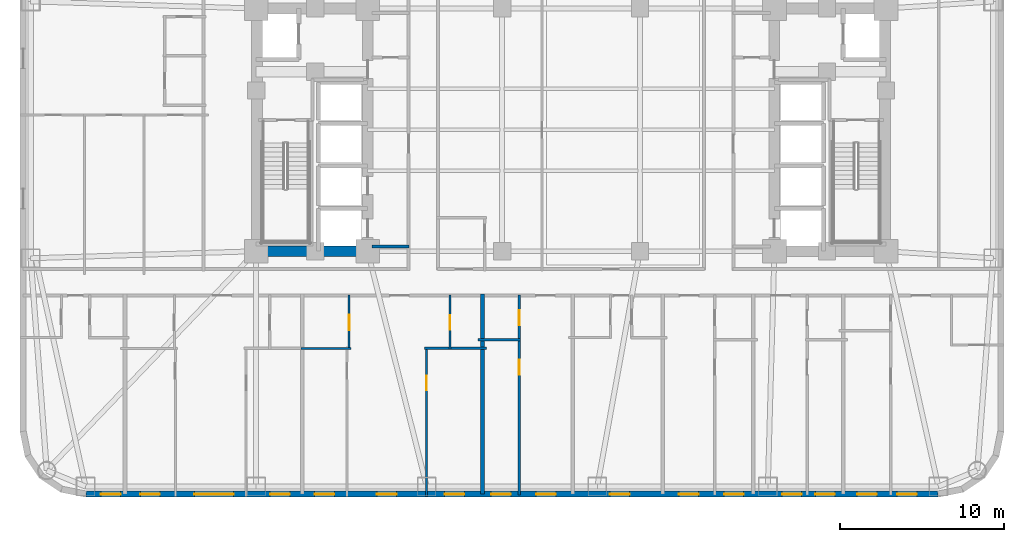
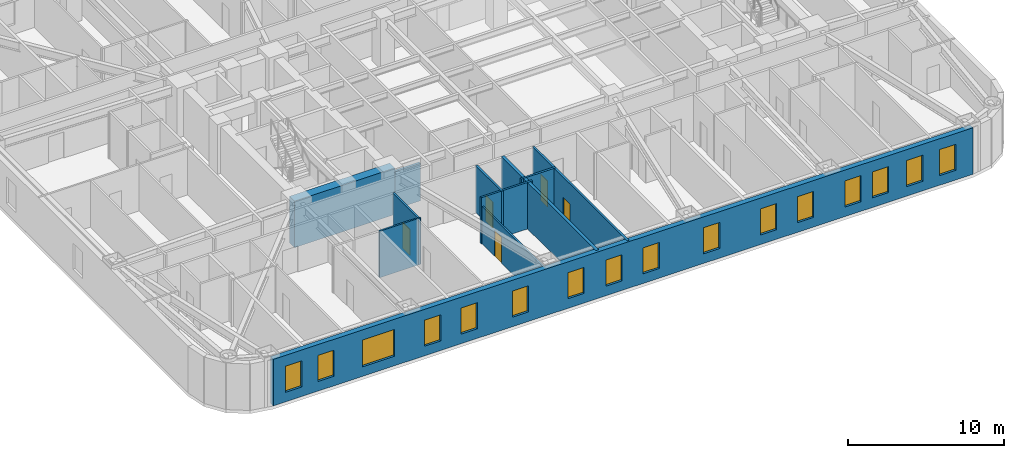
# One storey, part 3 of 12: 16 windows, 12 walls, 5 doors, 21 openings.
"""IFC4 building model written with IfcOpenShell, lengths in metres."""

from ifc_helpers import new_model, si_unit, direction, frame, frame_2d, origin, place, context, subcontext, project, spatial, rectangle, extrude, material, layer, layer_set, type_object, element, fill, save


model = new_model("IFC4")

# Units and contexts
model_context = context("Model", 3, precision=1e-05, world=origin(), true_north=direction((0.0, 1.0)))
body_context = subcontext(model_context, "Body", "Model", "MODEL_VIEW")
ifc_project = project(units=[si_unit("LENGTHUNIT", "METRE"), si_unit("AREAUNIT", "SQUARE_METRE"), si_unit("VOLUMEUNIT", "CUBIC_METRE"), si_unit("PLANEANGLEUNIT", "RADIAN"), si_unit("MASSUNIT", "GRAM", prefix="KILO")], contexts=[model_context])

# Site, building, storey
site_placement = place(None, origin())
site = spatial("IfcSite", under=ifc_project, at=site_placement, CompositionType="ELEMENT")
building_placement = place(site_placement, origin())
building = spatial("IfcBuilding", under=site, at=building_placement, Name="Voryun Gate Residences", CompositionType="ELEMENT")
storey_placement = place(building_placement, frame((0.0, 0.0, 41.60009765625)))
storey = spatial("IfcBuildingStorey", under=building, at=storey_placement, Name="L09", CompositionType="ELEMENT", Elevation=41.60009765625)

# Walls
ifc_material_1 = material(Name="Concrete C60/75", Category="concrete")
ifc_layer_1 = layer(ifc_material_1, 0.64990234375, Name="CW_CORE_650")
ifc_layer_set_1 = layer_set([ifc_layer_1], Name="Concrete C60/75")
wall_type_1 = type_object("IfcWallType", Name="CW_CORE_650", PredefinedType="SHEAR", material=ifc_layer_set_1)
wall_1_placement = place(storey_placement, frame((-19.52490234375, -7.39990234375, 0.0), z_axis=(0.0, 0.0, 1.0), x_axis=(1.0, 0.0, 0.0)))
element("IfcWall", 1, at=wall_1_placement, inside=storey, type_object=wall_type_1, Name="L09 Core shear wall CW-L09-WS", PredefinedType="SHEAR", context=body_context, shape_type="SweptSolid", body=[
    extrude(rectangle(XDim=7.449951171875, YDim=0.64990234375, at=frame_2d((3.72509765625, 0.0))), origin(), (0.0, 0.0, 1.0), 3.64990234375),
])
ifc_material_2 = material(Name="Gypsum acoustic fireboard")
ifc_layer_2 = layer(ifc_material_2, 0.179931640625, Name="W_CORR_RATED_180")
ifc_layer_set_2 = layer_set([ifc_layer_2], Name="Gypsum acoustic fireboard")
wall_type_2 = type_object("IfcWallType", Name="W_CORR_RATED_180", PredefinedType="PARTITIONING", material=ifc_layer_set_2)
wall_2_placement = place(storey_placement, frame((-12.14990234375, -7.1201171875, 0.0), z_axis=(0.0, 0.0, 1.0), x_axis=(1.0, 0.0, 0.0)))
element("IfcWall", 2, at=wall_2_placement, inside=storey, type_object=wall_type_2, Name="Partition wall WP-L09-PLBS-W", PredefinedType="PARTITIONING", context=body_context, shape_type="SweptSolid", body=[
    extrude(rectangle(XDim=2.27001953125, YDim=0.179931640625, at=frame_2d((1.135009765625, 0.0))), origin(), (0.0, 0.0, 1.0), 2.93994140625),
])

# Wall, openings, windows
ifc_material_3 = material(Name="Granite masonry", Category="masonry")
ifc_layer_3 = layer(ifc_material_3, 0.3798828125, Name="W_EXT_GRANITE_380")
ifc_layer_set_3 = layer_set([ifc_layer_3], Name="Granite masonry")
wall_type_3 = type_object("IfcWallType", Name="W_EXT_GRANITE_380", PredefinedType="ELEMENTEDWALL", material=ifc_layer_set_3)
wall_3_placement = place(storey_placement, frame((22.38134765625, -22.2099609375, 0.0), z_axis=(0.0, 0.0, 1.0), x_axis=(-1.0, 0.0, 0.0)))
wall_3 = element("IfcWall", 3, at=wall_3_placement, inside=storey, type_object=wall_type_3, Name="Exterior wall WEXT-L09-01", PredefinedType="ELEMENTEDWALL", context=body_context, shape_type="SweptSolid", body=[
    extrude(rectangle(XDim=51.962646484375, YDim=0.3798828125, at=frame_2d((25.9814453125, 0.0))), origin(), (0.0, 0.0, 1.0), 3.64990234375),
])
opening_1_placement = place(wall_3_placement, frame((42.9521484375, 0.0, 0.75)))
opening_1 = element("IfcOpeningElement", 4, at=opening_1_placement, cuts=wall_3, Name="Opening WN2", PredefinedType="OPENING", context=body_context, shape_type="SweptSolid", body=[
    extrude(rectangle(XDim=2.39990234375, YDim=2.10009765625, at=frame_2d((1.199951171875, 1.050048828125))), frame((0.0, 0.199951171875, 0.0), z_axis=(0.0, -1.0, 0.0), x_axis=(1.0, 0.0, 0.0)), (0.0, 0.0, 1.0), 0.39990234375),
])
opening_2_placement = place(wall_3_placement, frame((49.846923828125, 0.0, 0.75)))
opening_2 = element("IfcOpeningElement", 5, at=opening_2_placement, cuts=wall_3, Name="Opening WN6", PredefinedType="OPENING", context=body_context, shape_type="SweptSolid", body=[
    extrude(rectangle(XDim=1.199951171875, YDim=2.050048828125, at=frame_2d((0.60009765625, 1.02490234375))), frame((0.0, 0.199951171875, 0.0), z_axis=(0.0, -1.0, 0.0), x_axis=(1.0, 0.0, 0.0)), (0.0, 0.0, 1.0), 0.39990234375),
])
opening_3_placement = place(wall_3_placement, frame((47.4453125, 0.0, 0.75)))
opening_3 = element("IfcOpeningElement", 6, at=opening_3_placement, cuts=wall_3, Name="Opening WN6", PredefinedType="OPENING", context=body_context, shape_type="SweptSolid", body=[
    extrude(rectangle(XDim=1.199951171875, YDim=2.050048828125, at=frame_2d((0.60009765625, 1.02490234375))), frame((0.0, 0.199951171875, 0.0), z_axis=(0.0, -1.0, 0.0), x_axis=(1.0, 0.0, 0.0)), (0.0, 0.0, 1.0), 0.39990234375),
])
opening_4_placement = place(wall_3_placement, frame((39.5263671875, 0.0, 0.75)))
opening_4 = element("IfcOpeningElement", 7, at=opening_4_placement, cuts=wall_3, Name="Opening WN6", PredefinedType="OPENING", context=body_context, shape_type="SweptSolid", body=[
    extrude(rectangle(XDim=1.199951171875, YDim=2.050048828125, at=frame_2d((0.60009765625, 1.02490234375))), frame((0.0, 0.199951171875, 0.0), z_axis=(0.0, -1.0, 0.0), x_axis=(1.0, 0.0, 0.0)), (0.0, 0.0, 1.0), 0.39990234375),
])
opening_5_placement = place(wall_3_placement, frame((33.018310546875, 0.0, 0.75)))
opening_5 = element("IfcOpeningElement", 8, at=opening_5_placement, cuts=wall_3, Name="Opening WN6", PredefinedType="OPENING", context=body_context, shape_type="SweptSolid", body=[
    extrude(rectangle(XDim=1.199951171875, YDim=2.050048828125, at=frame_2d((0.60009765625, 1.02490234375))), frame((0.0, 0.199951171875, 0.0), z_axis=(0.0, -1.0, 0.0), x_axis=(1.0, 0.0, 0.0)), (0.0, 0.0, 1.0), 0.39990234375),
])
opening_6_placement = place(wall_3_placement, frame((36.813232421875, 0.0, 0.75)))
opening_6 = element("IfcOpeningElement", 9, at=opening_6_placement, cuts=wall_3, Name="Opening WN6", PredefinedType="OPENING", context=body_context, shape_type="SweptSolid", body=[
    extrude(rectangle(XDim=1.199951171875, YDim=2.050048828125, at=frame_2d((0.60009765625, 1.02490234375))), frame((0.0, 0.199951171875, 0.0), z_axis=(0.0, -1.0, 0.0), x_axis=(1.0, 0.0, 0.0)), (0.0, 0.0, 1.0), 0.39990234375),
])
opening_7_placement = place(wall_3_placement, frame((28.88623046875, 0.0, 0.75)))
opening_7 = element("IfcOpeningElement", 10, at=opening_7_placement, cuts=wall_3, Name="Opening WN6", PredefinedType="OPENING", context=body_context, shape_type="SweptSolid", body=[
    extrude(rectangle(XDim=1.199951171875, YDim=2.050048828125, at=frame_2d((0.60009765625, 1.02490234375))), frame((0.0, 0.199951171875, 0.0), z_axis=(0.0, -1.0, 0.0), x_axis=(1.0, 0.0, 0.0)), (0.0, 0.0, 1.0), 0.39990234375),
])
opening_8_placement = place(wall_3_placement, frame((23.306396484375, 0.0, 0.75)))
opening_8 = element("IfcOpeningElement", 11, at=opening_8_placement, cuts=wall_3, Name="Opening WN6", PredefinedType="OPENING", context=body_context, shape_type="SweptSolid", body=[
    extrude(rectangle(XDim=1.199951171875, YDim=2.050048828125, at=frame_2d((0.60009765625, 1.02490234375))), frame((0.0, 0.199951171875, 0.0), z_axis=(0.0, -1.0, 0.0), x_axis=(1.0, 0.0, 0.0)), (0.0, 0.0, 1.0), 0.39990234375),
])
opening_9_placement = place(wall_3_placement, frame((26.056396484375, 0.0, 0.75)))
opening_9 = element("IfcOpeningElement", 12, at=opening_9_placement, cuts=wall_3, Name="Opening WN6", PredefinedType="OPENING", context=body_context, shape_type="SweptSolid", body=[
    extrude(rectangle(XDim=1.199951171875, YDim=2.050048828125, at=frame_2d((0.60009765625, 1.02490234375))), frame((0.0, 0.199951171875, 0.0), z_axis=(0.0, -1.0, 0.0), x_axis=(1.0, 0.0, 0.0)), (0.0, 0.0, 1.0), 0.39990234375),
])
opening_10_placement = place(wall_3_placement, frame((18.811279296875, 0.0, 0.75)))
opening_10 = element("IfcOpeningElement", 13, at=opening_10_placement, cuts=wall_3, Name="Opening WN6", PredefinedType="OPENING", context=body_context, shape_type="SweptSolid", body=[
    extrude(rectangle(XDim=1.199951171875, YDim=2.050048828125, at=frame_2d((0.60009765625, 1.02490234375))), frame((0.0, 0.199951171875, 0.0), z_axis=(0.0, -1.0, 0.0), x_axis=(1.0, 0.0, 0.0)), (0.0, 0.0, 1.0), 0.39990234375),
])
opening_11_placement = place(wall_3_placement, frame((14.601806640625, 0.0, 0.75)))
opening_11 = element("IfcOpeningElement", 14, at=opening_11_placement, cuts=wall_3, Name="Opening WN6", PredefinedType="OPENING", context=body_context, shape_type="SweptSolid", body=[
    extrude(rectangle(XDim=1.199951171875, YDim=2.050048828125, at=frame_2d((0.60009765625, 1.02490234375))), frame((0.0, 0.199951171875, 0.0), z_axis=(0.0, -1.0, 0.0), x_axis=(1.0, 0.0, 0.0)), (0.0, 0.0, 1.0), 0.39990234375),
])
opening_12_placement = place(wall_3_placement, frame((11.851806640625, 0.0, 0.75)))
opening_12 = element("IfcOpeningElement", 15, at=opening_12_placement, cuts=wall_3, Name="Opening WN6", PredefinedType="OPENING", context=body_context, shape_type="SweptSolid", body=[
    extrude(rectangle(XDim=1.199951171875, YDim=2.050048828125, at=frame_2d((0.60009765625, 1.02490234375))), frame((0.0, 0.199951171875, 0.0), z_axis=(0.0, -1.0, 0.0), x_axis=(1.0, 0.0, 0.0)), (0.0, 0.0, 1.0), 0.39990234375),
])
opening_13_placement = place(wall_3_placement, frame((8.31640625, 0.0, 0.75)))
opening_13 = element("IfcOpeningElement", 16, at=opening_13_placement, cuts=wall_3, Name="Opening WN6", PredefinedType="OPENING", context=body_context, shape_type="SweptSolid", body=[
    extrude(rectangle(XDim=1.199951171875, YDim=2.050048828125, at=frame_2d((0.60009765625, 1.02490234375))), frame((0.0, 0.199951171875, 0.0), z_axis=(0.0, -1.0, 0.0), x_axis=(1.0, 0.0, 0.0)), (0.0, 0.0, 1.0), 0.39990234375),
])
opening_14_placement = place(wall_3_placement, frame((6.286376953125, 0.0, 0.75)))
opening_14 = element("IfcOpeningElement", 17, at=opening_14_placement, cuts=wall_3, Name="Opening WN6", PredefinedType="OPENING", context=body_context, shape_type="SweptSolid", body=[
    extrude(rectangle(XDim=1.199951171875, YDim=2.050048828125, at=frame_2d((0.60009765625, 1.02490234375))), frame((0.0, 0.199951171875, 0.0), z_axis=(0.0, -1.0, 0.0), x_axis=(1.0, 0.0, 0.0)), (0.0, 0.0, 1.0), 0.39990234375),
])
opening_15_placement = place(wall_3_placement, frame((3.73681640625, 0.0, 0.75)))
opening_15 = element("IfcOpeningElement", 18, at=opening_15_placement, cuts=wall_3, Name="Opening WN6", PredefinedType="OPENING", context=body_context, shape_type="SweptSolid", body=[
    extrude(rectangle(XDim=1.199951171875, YDim=2.050048828125, at=frame_2d((0.60009765625, 1.02490234375))), frame((0.0, 0.199951171875, 0.0), z_axis=(0.0, -1.0, 0.0), x_axis=(1.0, 0.0, 0.0)), (0.0, 0.0, 1.0), 0.39990234375),
])
opening_16_placement = place(wall_3_placement, frame((1.291015625, 0.0, 0.75)))
opening_16 = element("IfcOpeningElement", 19, at=opening_16_placement, cuts=wall_3, Name="Opening WN6", PredefinedType="OPENING", context=body_context, shape_type="SweptSolid", body=[
    extrude(rectangle(XDim=1.199951171875, YDim=2.050048828125, at=frame_2d((0.60009765625, 1.02490234375))), frame((0.0, 0.199951171875, 0.0), z_axis=(0.0, -1.0, 0.0), x_axis=(1.0, 0.0, 0.0)), (0.0, 0.0, 1.0), 0.39990234375),
])
ifc_material_4 = material(Name="Laminated low-E glass", Category="glass")
window_type_1 = type_object("IfcWindowType", Name="WN_POD_SLOT_1200", PartitioningType="SINGLE_PANEL", PredefinedType="WINDOW", material=ifc_material_4)
window_1_placement = place(opening_2_placement, origin())
window_1 = element("IfcWindow", 20, at=window_1_placement, inside=storey, type_object=window_type_1, Name="Window WN-L09-DWFIX-15", OverallHeight=2.050048828125, OverallWidth=1.199951171875, PartitioningType="SINGLE_PANEL", PredefinedType="WINDOW", context=body_context, shape_type="SweptSolid", body=[
    extrude(rectangle(XDim=1.199951171875, YDim=2.050048828125, at=frame_2d((0.60009765625, 1.02490234375))), frame((0.0, 0.030029296875, 0.0), z_axis=(0.0, -1.0, 0.0), x_axis=(1.0, 0.0, 0.0)), (0.0, 0.0, 1.0), 0.06005859375),
])
fill(opening_2, window_1)
window_2_placement = place(opening_3_placement, origin())
window_2 = element("IfcWindow", 21, at=window_2_placement, inside=storey, type_object=window_type_1, Name="Window WN-L09-DWFIX-16", OverallHeight=2.050048828125, OverallWidth=1.199951171875, PartitioningType="SINGLE_PANEL", PredefinedType="WINDOW", context=body_context, shape_type="SweptSolid", body=[
    extrude(rectangle(XDim=1.199951171875, YDim=2.050048828125, at=frame_2d((0.60009765625, 1.02490234375))), frame((0.0, 0.030029296875, 0.0), z_axis=(0.0, -1.0, 0.0), x_axis=(1.0, 0.0, 0.0)), (0.0, 0.0, 1.0), 0.06005859375),
])
fill(opening_3, window_2)
window_3_placement = place(opening_4_placement, origin())
window_3 = element("IfcWindow", 22, at=window_3_placement, inside=storey, type_object=window_type_1, Name="Window WN-L09-DWFIX-17", OverallHeight=2.050048828125, OverallWidth=1.199951171875, PartitioningType="SINGLE_PANEL", PredefinedType="WINDOW", context=body_context, shape_type="SweptSolid", body=[
    extrude(rectangle(XDim=1.199951171875, YDim=2.050048828125, at=frame_2d((0.60009765625, 1.02490234375))), frame((0.0, 0.030029296875, 0.0), z_axis=(0.0, -1.0, 0.0), x_axis=(1.0, 0.0, 0.0)), (0.0, 0.0, 1.0), 0.06005859375),
])
fill(opening_4, window_3)
window_4_placement = place(opening_5_placement, origin())
window_4 = element("IfcWindow", 23, at=window_4_placement, inside=storey, type_object=window_type_1, Name="Window WN-L09-DWFIX-18", OverallHeight=2.050048828125, OverallWidth=1.199951171875, PartitioningType="SINGLE_PANEL", PredefinedType="WINDOW", context=body_context, shape_type="SweptSolid", body=[
    extrude(rectangle(XDim=1.199951171875, YDim=2.050048828125, at=frame_2d((0.60009765625, 1.02490234375))), frame((0.0, 0.030029296875, 0.0), z_axis=(0.0, -1.0, 0.0), x_axis=(1.0, 0.0, 0.0)), (0.0, 0.0, 1.0), 0.06005859375),
])
fill(opening_5, window_4)
window_5_placement = place(opening_6_placement, origin())
window_5 = element("IfcWindow", 24, at=window_5_placement, inside=storey, type_object=window_type_1, Name="Window WN-L09-DWFIX-19", OverallHeight=2.050048828125, OverallWidth=1.199951171875, PartitioningType="SINGLE_PANEL", PredefinedType="WINDOW", context=body_context, shape_type="SweptSolid", body=[
    extrude(rectangle(XDim=1.199951171875, YDim=2.050048828125, at=frame_2d((0.60009765625, 1.02490234375))), frame((0.0, 0.030029296875, 0.0), z_axis=(0.0, -1.0, 0.0), x_axis=(1.0, 0.0, 0.0)), (0.0, 0.0, 1.0), 0.06005859375),
])
fill(opening_6, window_5)
window_6_placement = place(opening_7_placement, origin())
window_6 = element("IfcWindow", 25, at=window_6_placement, inside=storey, type_object=window_type_1, Name="Window WN-L09-DWFIX-20", OverallHeight=2.050048828125, OverallWidth=1.199951171875, PartitioningType="SINGLE_PANEL", PredefinedType="WINDOW", context=body_context, shape_type="SweptSolid", body=[
    extrude(rectangle(XDim=1.199951171875, YDim=2.050048828125, at=frame_2d((0.60009765625, 1.02490234375))), frame((0.0, 0.030029296875, 0.0), z_axis=(0.0, -1.0, 0.0), x_axis=(1.0, 0.0, 0.0)), (0.0, 0.0, 1.0), 0.06005859375),
])
fill(opening_7, window_6)
window_7_placement = place(opening_8_placement, origin())
window_7 = element("IfcWindow", 26, at=window_7_placement, inside=storey, type_object=window_type_1, Name="Window WN-L09-DWFIX-21", OverallHeight=2.050048828125, OverallWidth=1.199951171875, PartitioningType="SINGLE_PANEL", PredefinedType="WINDOW", context=body_context, shape_type="SweptSolid", body=[
    extrude(rectangle(XDim=1.199951171875, YDim=2.050048828125, at=frame_2d((0.60009765625, 1.02490234375))), frame((0.0, 0.030029296875, 0.0), z_axis=(0.0, -1.0, 0.0), x_axis=(1.0, 0.0, 0.0)), (0.0, 0.0, 1.0), 0.06005859375),
])
fill(opening_8, window_7)
window_8_placement = place(opening_9_placement, origin())
window_8 = element("IfcWindow", 27, at=window_8_placement, inside=storey, type_object=window_type_1, Name="Window WN-L09-DWFIX-22", OverallHeight=2.050048828125, OverallWidth=1.199951171875, PartitioningType="SINGLE_PANEL", PredefinedType="WINDOW", context=body_context, shape_type="SweptSolid", body=[
    extrude(rectangle(XDim=1.199951171875, YDim=2.050048828125, at=frame_2d((0.60009765625, 1.02490234375))), frame((0.0, 0.030029296875, 0.0), z_axis=(0.0, -1.0, 0.0), x_axis=(1.0, 0.0, 0.0)), (0.0, 0.0, 1.0), 0.06005859375),
])
fill(opening_9, window_8)
window_9_placement = place(opening_10_placement, origin())
window_9 = element("IfcWindow", 28, at=window_9_placement, inside=storey, type_object=window_type_1, Name="Window WN-L09-DWFIX-23", OverallHeight=2.050048828125, OverallWidth=1.199951171875, PartitioningType="SINGLE_PANEL", PredefinedType="WINDOW", context=body_context, shape_type="SweptSolid", body=[
    extrude(rectangle(XDim=1.199951171875, YDim=2.050048828125, at=frame_2d((0.60009765625, 1.02490234375))), frame((0.0, 0.030029296875, 0.0), z_axis=(0.0, -1.0, 0.0), x_axis=(1.0, 0.0, 0.0)), (0.0, 0.0, 1.0), 0.06005859375),
])
fill(opening_10, window_9)
window_10_placement = place(opening_11_placement, origin())
window_10 = element("IfcWindow", 29, at=window_10_placement, inside=storey, type_object=window_type_1, Name="Window WN-L09-DWFIX-24", OverallHeight=2.050048828125, OverallWidth=1.199951171875, PartitioningType="SINGLE_PANEL", PredefinedType="WINDOW", context=body_context, shape_type="SweptSolid", body=[
    extrude(rectangle(XDim=1.199951171875, YDim=2.050048828125, at=frame_2d((0.60009765625, 1.02490234375))), frame((0.0, 0.030029296875, 0.0), z_axis=(0.0, -1.0, 0.0), x_axis=(1.0, 0.0, 0.0)), (0.0, 0.0, 1.0), 0.06005859375),
])
fill(opening_11, window_10)
window_11_placement = place(opening_12_placement, origin())
window_11 = element("IfcWindow", 30, at=window_11_placement, inside=storey, type_object=window_type_1, Name="Window WN-L09-DWFIX-25", OverallHeight=2.050048828125, OverallWidth=1.199951171875, PartitioningType="SINGLE_PANEL", PredefinedType="WINDOW", context=body_context, shape_type="SweptSolid", body=[
    extrude(rectangle(XDim=1.199951171875, YDim=2.050048828125, at=frame_2d((0.60009765625, 1.02490234375))), frame((0.0, 0.030029296875, 0.0), z_axis=(0.0, -1.0, 0.0), x_axis=(1.0, 0.0, 0.0)), (0.0, 0.0, 1.0), 0.06005859375),
])
fill(opening_12, window_11)
window_12_placement = place(opening_13_placement, origin())
window_12 = element("IfcWindow", 31, at=window_12_placement, inside=storey, type_object=window_type_1, Name="Window WN-L09-DWFIX-26", OverallHeight=2.050048828125, OverallWidth=1.199951171875, PartitioningType="SINGLE_PANEL", PredefinedType="WINDOW", context=body_context, shape_type="SweptSolid", body=[
    extrude(rectangle(XDim=1.199951171875, YDim=2.050048828125, at=frame_2d((0.60009765625, 1.02490234375))), frame((0.0, 0.030029296875, 0.0), z_axis=(0.0, -1.0, 0.0), x_axis=(1.0, 0.0, 0.0)), (0.0, 0.0, 1.0), 0.06005859375),
])
fill(opening_13, window_12)
window_13_placement = place(opening_14_placement, origin())
window_13 = element("IfcWindow", 32, at=window_13_placement, inside=storey, type_object=window_type_1, Name="Window WN-L09-DWFIX-27", OverallHeight=2.050048828125, OverallWidth=1.199951171875, PartitioningType="SINGLE_PANEL", PredefinedType="WINDOW", context=body_context, shape_type="SweptSolid", body=[
    extrude(rectangle(XDim=1.199951171875, YDim=2.050048828125, at=frame_2d((0.60009765625, 1.02490234375))), frame((0.0, 0.030029296875, 0.0), z_axis=(0.0, -1.0, 0.0), x_axis=(1.0, 0.0, 0.0)), (0.0, 0.0, 1.0), 0.06005859375),
])
fill(opening_14, window_13)
window_14_placement = place(opening_15_placement, origin())
window_14 = element("IfcWindow", 33, at=window_14_placement, inside=storey, type_object=window_type_1, Name="Window WN-L09-DWFIX-28", OverallHeight=2.050048828125, OverallWidth=1.199951171875, PartitioningType="SINGLE_PANEL", PredefinedType="WINDOW", context=body_context, shape_type="SweptSolid", body=[
    extrude(rectangle(XDim=1.199951171875, YDim=2.050048828125, at=frame_2d((0.60009765625, 1.02490234375))), frame((0.0, 0.030029296875, 0.0), z_axis=(0.0, -1.0, 0.0), x_axis=(1.0, 0.0, 0.0)), (0.0, 0.0, 1.0), 0.06005859375),
])
fill(opening_15, window_14)
window_15_placement = place(opening_16_placement, origin())
window_15 = element("IfcWindow", 34, at=window_15_placement, inside=storey, type_object=window_type_1, Name="Window WN-L09-DWFIX-29", OverallHeight=2.050048828125, OverallWidth=1.199951171875, PartitioningType="SINGLE_PANEL", PredefinedType="WINDOW", context=body_context, shape_type="SweptSolid", body=[
    extrude(rectangle(XDim=1.199951171875, YDim=2.050048828125, at=frame_2d((0.60009765625, 1.02490234375))), frame((0.0, 0.030029296875, 0.0), z_axis=(0.0, -1.0, 0.0), x_axis=(1.0, 0.0, 0.0)), (0.0, 0.0, 1.0), 0.06005859375),
])
fill(opening_16, window_15)
ifc_material_5 = material(Name="Laminated low-E glass", Category="glass")
window_type_2 = type_object("IfcWindowType", Name="WN_RES_WIDE_2400", PartitioningType="SINGLE_PANEL", PredefinedType="WINDOW", material=ifc_material_5)
window_16_placement = place(opening_1_placement, origin())
window_16 = element("IfcWindow", 35, at=window_16_placement, inside=storey, type_object=window_type_2, Name="Window WN-WEXT-L09-01-03", OverallHeight=2.10009765625, OverallWidth=2.39990234375, PartitioningType="SINGLE_PANEL", PredefinedType="WINDOW", context=body_context, shape_type="SweptSolid", body=[
    extrude(rectangle(XDim=2.39990234375, YDim=2.10009765625, at=frame_2d((1.199951171875, 1.050048828125))), frame((0.0, 0.030029296875, 0.0), z_axis=(0.0, -1.0, 0.0), x_axis=(1.0, 0.0, 0.0)), (0.0, 0.0, 1.0), 0.06005859375),
])
fill(opening_1, window_16)

# Wall
ifc_material_6 = material(Name="Concrete C40/50", Category="concrete")
ifc_layer_4 = layer(ifc_material_6, 0.219970703125, Name="W_PARTY_ACOUSTIC_220")
ifc_layer_set_4 = layer_set([ifc_layer_4], Name="Concrete C40/50")
wall_type_4 = type_object("IfcWallType", Name="W_PARTY_ACOUSTIC_220", PredefinedType="PARTITIONING", material=ifc_layer_set_4)
wall_4_placement = place(storey_placement, frame((-5.39990234375, -22.2099609375, 0.0), z_axis=(0.0, 0.0, 1.0), x_axis=(0.0, 1.0, 0.0)))
element("IfcWall", 36, at=wall_4_placement, inside=storey, type_object=wall_type_4, Name="Partition wall WP-L09-SPTY-3", PredefinedType="PARTITIONING", context=body_context, shape_type="SweptSolid", body=[
    extrude(rectangle(XDim=12.18994140625, YDim=0.219970703125, at=frame_2d((6.094970703125, 0.0))), origin(), (0.0, 0.0, 1.0), 3.64990234375),
])

# Wall, opening, door
ifc_material_7 = material(Name="Gypsum acoustic partition")
ifc_layer_5 = layer(ifc_material_7, 0.125, Name="W_UNIT_PART_125")
ifc_layer_set_5 = layer_set([ifc_layer_5], Name="Gypsum acoustic partition")
wall_type_5 = type_object("IfcWallType", Name="W_UNIT_PART_125", PredefinedType="PARTITIONING", material=ifc_layer_set_5)
wall_5_placement = place(storey_placement, frame((-8.81005859375, -22.360107421875, 0.0), z_axis=(0.0, 0.0, 1.0), x_axis=(0.0, 1.0, 0.0)))
wall_5 = element("IfcWall", 37, at=wall_5_placement, inside=storey, type_object=wall_type_5, Name="Partition wall WP-L09-S3-OVR", PredefinedType="PARTITIONING", context=body_context, shape_type="SweptSolid", body=[
    extrude(rectangle(XDim=9.1201171875, YDim=0.125, at=frame_2d((4.56005859375, 0.0))), origin(), (0.0, 0.0, 1.0), 2.93994140625),
])
opening_17_placement = place(wall_5_placement, frame((6.481201171875, 0.0, 0.0)))
opening_17 = element("IfcOpeningElement", 38, at=opening_17_placement, cuts=wall_5, Name="Opening D-INT-2", PredefinedType="OPENING", context=body_context, shape_type="SweptSolid", body=[
    extrude(rectangle(XDim=0.89990234375, YDim=2.050048828125, at=frame_2d((0.449951171875, 1.02490234375))), frame((0.0, 0.072509765625, 0.0), z_axis=(0.0, -1.0, 0.0), x_axis=(1.0, 0.0, 0.0)), (0.0, 0.0, 1.0), 0.14501953125),
])
ifc_material_8 = material(Name="Architectural oak veneer")
door_type_1 = type_object("IfcDoorType", Name="DR_INT_BATH_900", OperationType="NOTDEFINED", PredefinedType="DOOR", material=ifc_material_8)
door_1_placement = place(opening_17_placement, origin())
door_1 = element("IfcDoor", 39, at=door_1_placement, inside=storey, type_object=door_type_1, Name="Door DR-L09-S3-DMB", OperationType="SINGLE_SWING_RIGHT", OverallHeight=2.050048828125, OverallWidth=0.89990234375, PredefinedType="DOOR", context=body_context, shape_type="SweptSolid", body=[
    extrude(rectangle(XDim=0.89990234375, YDim=2.050048828125, at=frame_2d((0.449951171875, 1.02490234375))), frame((0.0, 0.02490234375, 0.0), z_axis=(0.0, -1.0, 0.0), x_axis=(1.0, 0.0, 0.0)), (0.0, 0.0, 1.0), 0.050048828125),
])
fill(opening_17, door_1)

wall_6_placement = place(storey_placement, frame((-13.532958984375, -13.39990234375, 0.0), z_axis=(0.0, 0.0, 1.0), x_axis=(0.0, 1.0, 0.0)))
wall_6 = element("IfcWall", 40, at=wall_6_placement, inside=storey, type_object=wall_type_5, Name="Partition wall WP-L09-S3-IVK", PredefinedType="PARTITIONING", context=body_context, shape_type="SweptSolid", body=[
    extrude(rectangle(XDim=3.31982421875, YDim=0.125, at=frame_2d((1.659912109375, 0.0))), origin(), (0.0, 0.0, 1.0), 3.64990234375),
])
opening_18_placement = place(wall_6_placement, frame((1.18505859375, 0.0, 0.0)))
opening_18 = element("IfcOpeningElement", 41, at=opening_18_placement, cuts=wall_6, Name="Opening D-INT-1", PredefinedType="OPENING", context=body_context, shape_type="SweptSolid", body=[
    extrude(rectangle(XDim=0.949951171875, YDim=2.050048828125, at=frame_2d((0.47509765625, 1.02490234375))), frame((0.0, 0.072509765625, 0.0), z_axis=(0.0, -1.0, 0.0), x_axis=(1.0, 0.0, 0.0)), (0.0, 0.0, 1.0), 0.14501953125),
])
ifc_material_9 = material(Name="Architectural oak veneer")
door_type_2 = type_object("IfcDoorType", Name="DR_INT_ROOM_950", OperationType="NOTDEFINED", PredefinedType="DOOR", material=ifc_material_9)
door_2_placement = place(opening_18_placement, origin())
door_2 = element("IfcDoor", 42, at=door_2_placement, inside=storey, type_object=door_type_2, Name="Door DR-L09-S3-DK", OperationType="SINGLE_SWING_LEFT", OverallHeight=2.050048828125, OverallWidth=0.949951171875, PredefinedType="DOOR", context=body_context, shape_type="SweptSolid", body=[
    extrude(rectangle(XDim=0.949951171875, YDim=2.050048828125, at=frame_2d((0.47509765625, 1.02490234375))), frame((0.0, 0.02490234375, 0.0), z_axis=(0.0, -1.0, 0.0), x_axis=(1.0, 0.0, 0.0)), (0.0, 0.0, 1.0), 0.050048828125),
])
fill(opening_18, door_2)

# Walls
wall_7_placement = place(storey_placement, frame((-16.47509765625, -13.320068359375, 0.0), z_axis=(0.0, 0.0, 1.0), x_axis=(1.0, 0.0, 0.0)))
element("IfcWall", 43, at=wall_7_placement, inside=storey, type_object=wall_type_5, Name="Partition wall WP-L09-S3-HZK", PredefinedType="PARTITIONING", context=body_context, shape_type="SweptSolid", body=[
    extrude(rectangle(XDim=3.06201171875, YDim=0.125, at=frame_2d((1.531005859375, 0.0))), origin(), (0.0, 0.0, 1.0), 3.64990234375),
])
ifc_material_10 = material(Name="Gypsum moisture-resistant partition")
ifc_layer_6 = layer(ifc_material_10, 0.14990234375, Name="W_WET_PLUMB_150")
ifc_layer_set_6 = layer_set([ifc_layer_6], Name="Gypsum moisture-resistant partition")
wall_type_6 = type_object("IfcWallType", Name="W_WET_PLUMB_150", PredefinedType="PLUMBINGWALL", material=ifc_layer_set_6)
wall_8_placement = place(storey_placement, frame((-8.929931640625, -13.320068359375, 0.0), z_axis=(0.0, 0.0, 1.0), x_axis=(1.0, 0.0, 0.0)))
element("IfcWall", 44, at=wall_8_placement, inside=storey, type_object=wall_type_6, Name="Partition wall WP-L09-S3-HZB", PredefinedType="PLUMBINGWALL", context=body_context, shape_type="SweptSolid", body=[
    extrude(rectangle(XDim=3.7900390625, YDim=0.14990234375, at=frame_2d((1.89501953125, 0.0))), origin(), (0.0, 0.0, 1.0), 3.64990234375),
])

# Wall, opening, door
wall_9_placement = place(storey_placement, frame((-7.3798828125, -13.39990234375, 0.0), z_axis=(0.0, 0.0, 1.0), x_axis=(0.0, 1.0, 0.0)))
wall_9 = element("IfcWall", 45, at=wall_9_placement, inside=storey, type_object=wall_type_6, Name="Partition wall WP-L09-S3-IVB", PredefinedType="PLUMBINGWALL", context=body_context, shape_type="SweptSolid", body=[
    extrude(rectangle(XDim=3.31982421875, YDim=0.14990234375, at=frame_2d((1.659912109375, 0.0))), origin(), (0.0, 0.0, 1.0), 3.64990234375),
])
opening_19_placement = place(wall_9_placement, frame((1.2099609375, 0.0, 0.0)))
opening_19 = element("IfcOpeningElement", 46, at=opening_19_placement, cuts=wall_9, Name="Opening D-INT-2", PredefinedType="OPENING", context=body_context, shape_type="SweptSolid", body=[
    extrude(rectangle(XDim=0.89990234375, YDim=2.050048828125, at=frame_2d((0.449951171875, 1.02490234375))), frame((0.0, 0.0849609375, 0.0), z_axis=(0.0, -1.0, 0.0), x_axis=(1.0, 0.0, 0.0)), (0.0, 0.0, 1.0), 0.169921875),
])
door_3_placement = place(opening_19_placement, origin())
door_3 = element("IfcDoor", 47, at=door_3_placement, inside=storey, type_object=door_type_1, Name="Door DR-L09-S3-DB", OperationType="SINGLE_SWING_RIGHT", OverallHeight=2.050048828125, OverallWidth=0.89990234375, PredefinedType="DOOR", context=body_context, shape_type="SweptSolid", body=[
    extrude(rectangle(XDim=0.89990234375, YDim=2.050048828125, at=frame_2d((0.449951171875, 1.02490234375))), frame((0.0, 0.02490234375, 0.0), z_axis=(0.0, -1.0, 0.0), x_axis=(1.0, 0.0, 0.0)), (0.0, 0.0, 1.0), 0.050048828125),
])
fill(opening_19, door_3)

# Wall
wall_10_placement = place(storey_placement, frame((-5.659912109375, -12.800048828125, 0.0), z_axis=(0.0, 0.0, 1.0), x_axis=(1.0, 0.0, 0.0)))
element("IfcWall", 48, at=wall_10_placement, inside=storey, type_object=wall_type_6, Name="Partition wall WP-L09-S4-SKB", PredefinedType="PLUMBINGWALL", context=body_context, shape_type="SweptSolid", body=[
    extrude(rectangle(XDim=2.58984375, YDim=0.14990234375, at=frame_2d((1.294921875, 0.0))), origin(), (0.0, 0.0, 1.0), 3.64990234375),
])

# Wall, opening, door
wall_11_placement = place(storey_placement, frame((-3.14990234375, -22.257568359375, 0.0), z_axis=(0.0, 0.0, 1.0), x_axis=(0.0, 1.0, 0.0)))
wall_11 = element("IfcWall", 49, at=wall_11_placement, inside=storey, type_object=wall_type_6, Name="Partition wall WP-L09-S4-SVT1", PredefinedType="PLUMBINGWALL", context=body_context, shape_type="SweptSolid", body=[
    extrude(rectangle(XDim=9.49755859375, YDim=0.14990234375, at=frame_2d((4.748779296875, 0.0))), origin(), (0.0, 0.0, 1.0), 3.64990234375),
])
opening_20_placement = place(wall_11_placement, frame((7.337890625, 0.0, 0.0)))
opening_20 = element("IfcOpeningElement", 50, at=opening_20_placement, cuts=wall_11, Name="Opening D-INT-2", PredefinedType="OPENING", context=body_context, shape_type="SweptSolid", body=[
    extrude(rectangle(XDim=0.89990234375, YDim=2.050048828125, at=frame_2d((0.449951171875, 1.02490234375))), frame((0.0, 0.0849609375, 0.0), z_axis=(0.0, -1.0, 0.0), x_axis=(1.0, 0.0, 0.0)), (0.0, 0.0, 1.0), 0.169921875),
])
door_4_placement = place(opening_20_placement, origin())
door_4 = element("IfcDoor", 51, at=door_4_placement, inside=storey, type_object=door_type_1, Name="Door DR-L09-S4-DK", OperationType="SINGLE_SWING_LEFT", OverallHeight=2.050048828125, OverallWidth=0.89990234375, PredefinedType="DOOR", context=body_context, shape_type="SweptSolid", body=[
    extrude(rectangle(XDim=0.89990234375, YDim=2.050048828125, at=frame_2d((0.449951171875, 1.02490234375))), frame((0.0, 0.02490234375, 0.0), z_axis=(0.0, -1.0, 0.0), x_axis=(1.0, 0.0, 0.0)), (0.0, 0.0, 1.0), 0.050048828125),
])
fill(opening_20, door_4)

wall_12_placement = place(storey_placement, frame((-3.14990234375, -12.840087890625, 0.0), z_axis=(0.0, 0.0, 1.0), x_axis=(0.0, 1.0, 0.0)))
wall_12 = element("IfcWall", 52, at=wall_12_placement, inside=storey, type_object=wall_type_6, Name="Partition wall WP-L09-S4-SVT2", PredefinedType="PLUMBINGWALL", context=body_context, shape_type="SweptSolid", body=[
    extrude(rectangle(XDim=2.760009765625, YDim=0.14990234375, at=frame_2d((1.3798828125, 0.0))), origin(), (0.0, 0.0, 1.0), 3.64990234375),
])
opening_21_placement = place(wall_12_placement, frame((0.929931640625, 0.0, 0.0)))
opening_21 = element("IfcOpeningElement", 53, at=opening_21_placement, cuts=wall_12, Name="Opening D-INT-2", PredefinedType="OPENING", context=body_context, shape_type="SweptSolid", body=[
    extrude(rectangle(XDim=0.89990234375, YDim=2.050048828125, at=frame_2d((0.449951171875, 1.02490234375))), frame((0.0, 0.0849609375, 0.0), z_axis=(0.0, -1.0, 0.0), x_axis=(1.0, 0.0, 0.0)), (0.0, 0.0, 1.0), 0.169921875),
])
door_5_placement = place(opening_21_placement, origin())
door_5 = element("IfcDoor", 54, at=door_5_placement, inside=storey, type_object=door_type_1, Name="Door DR-L09-S4-DB", OperationType="SINGLE_SWING_RIGHT", OverallHeight=2.050048828125, OverallWidth=0.89990234375, PredefinedType="DOOR", context=body_context, shape_type="SweptSolid", body=[
    extrude(rectangle(XDim=0.89990234375, YDim=2.050048828125, at=frame_2d((0.449951171875, 1.02490234375))), frame((0.0, 0.02490234375, 0.0), z_axis=(0.0, -1.0, 0.0), x_axis=(1.0, 0.0, 0.0)), (0.0, 0.0, 1.0), 0.050048828125),
])
fill(opening_21, door_5)

save(model, "model.ifc")
